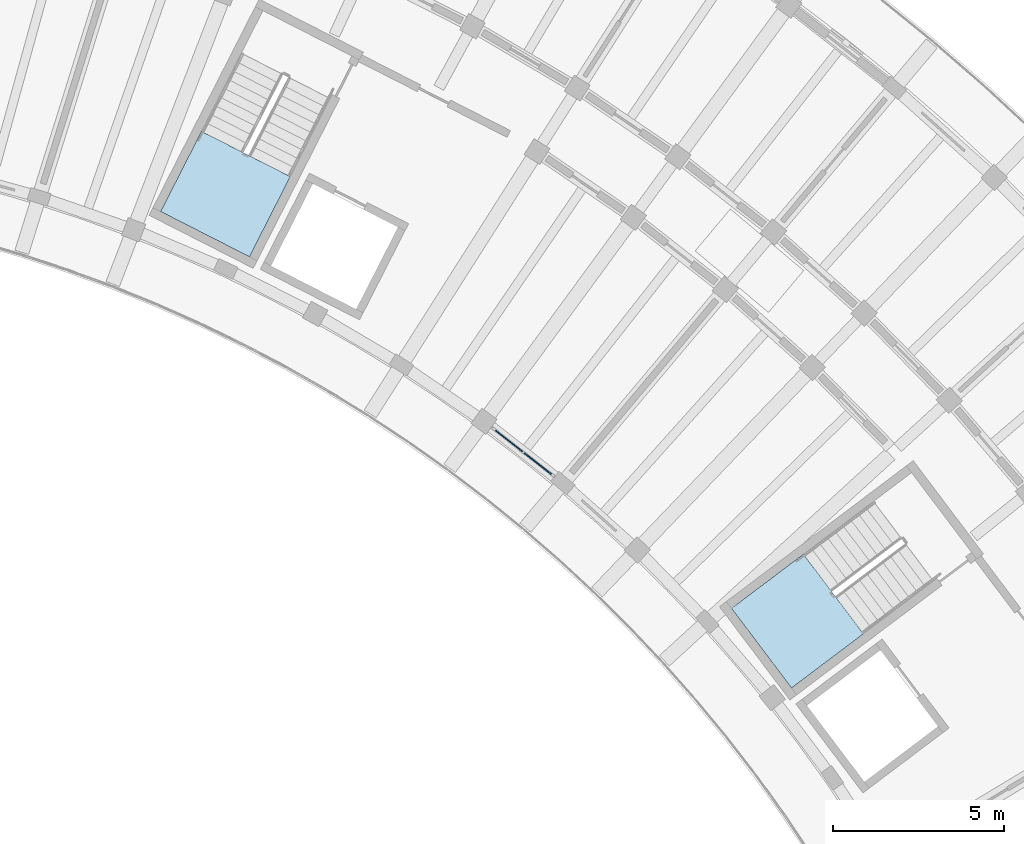
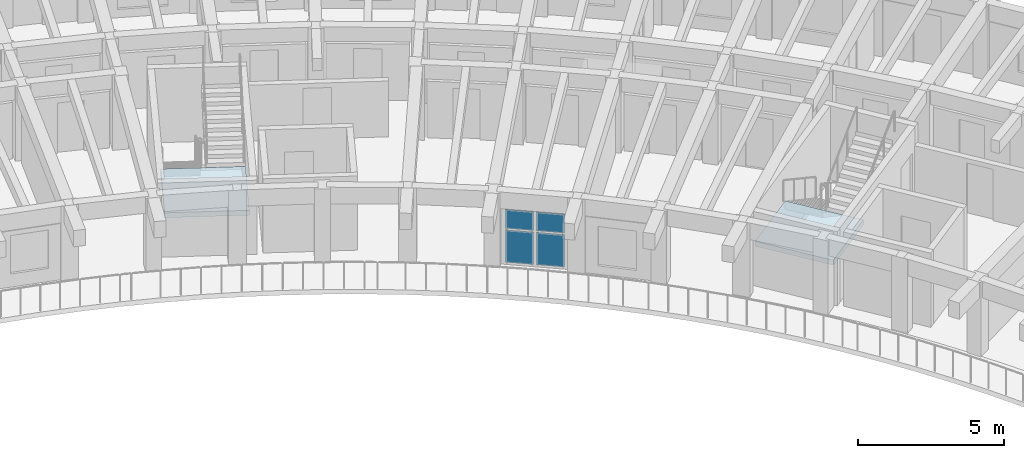
# One storey, part 26 of 69: 4 plates, 2 slabs, 3 elements without a shape of their own.
"""IFC4 building model written with IfcOpenShell, lengths in metres."""

from ifc_helpers import new_model, si_unit, direction, frame, origin, origin_2d, place, context, subcontext, project, spatial, polyline, rectangle, outline, extrude, material, layer, layer_set, type_object, element, aggregate, save


model = new_model("IFC4")

# Units and contexts
model_context = context("Model", 3, precision=1e-05, world=origin(), true_north=direction((0.0, 1.0)))
body_context = subcontext(model_context, "Body", "Model", "MODEL_VIEW")
ifc_project = project(units=[si_unit("LENGTHUNIT", "METRE"), si_unit("AREAUNIT", "SQUARE_METRE"), si_unit("VOLUMEUNIT", "CUBIC_METRE"), si_unit("PLANEANGLEUNIT", "RADIAN"), si_unit("MASSUNIT", "GRAM", prefix="KILO")], contexts=[model_context])

# Site, building, storey
site_placement = place(None, origin())
site = spatial("IfcSite", under=ifc_project, at=site_placement, CompositionType="ELEMENT")
building_placement = place(site_placement, origin())
building = spatial("IfcBuilding", under=site, at=building_placement, Name="Tanwirah Colonnade Gardens", CompositionType="ELEMENT")
storey_placement = place(building_placement, frame((0.0, 0.0, 15.56005859375)))
storey = spatial("IfcBuildingStorey", under=building, at=storey_placement, Name="L04", CompositionType="ELEMENT", Elevation=15.56005859375)

# Curtain wall, plates
ifc_material_1 = material(Name="Bronze-anodised aluminium and solar-control low-E glass", Category="aluminium")
curtain_wall_type = type_object("IfcCurtainWallType", Name="CW-GDN", PredefinedType="NOTDEFINED", material=ifc_material_1)
curtain_wall_placement = place(storey_placement, origin())
curtain_wall = element("IfcCurtainWall", 1, at=curtain_wall_placement, inside=storey, type_object=curtain_wall_type, Name="Curtain Wall CW-B-L04-IN-09", PredefinedType="NOTDEFINED")
ifc_material_2 = material(Name="Acoustic solar-control low-E double glazing", Category="glass")
ifc_layer_1 = layer(ifc_material_2, 0.031982421875)
ifc_layer_set_1 = layer_set([ifc_layer_1], Name="Acoustic solar-control low-E double glazing")
plate_type = type_object("IfcPlateType", Name="CWP-GLZ32", PredefinedType="CURTAIN_PANEL", material=ifc_layer_set_1)
plate_1_placement = place(storey_placement, frame((148.840087890625, 94.82470703125, 0.070068359375), z_axis=(0.0, 0.0, 1.0), x_axis=(-0.786815291166, 0.617188542982, 0.0)))
plate_1 = element("IfcPlate", 2, at=plate_1_placement, type_object=plate_type, Name="CW-GDN panel 1.1", PredefinedType="CURTAIN_PANEL", context=body_context, shape_type="SweptSolid", body=[
    extrude(rectangle(XDim=1.000244140625, YDim=0.031982421875, at=origin_2d()), origin(), (0.0, 0.0, 1.0), 1.35498046875),
])
plate_2_placement = place(storey_placement, frame((148.840087890625, 94.82470703125, 1.4951171875), z_axis=(0.0, 0.0, 1.0), x_axis=(-0.786815291166, 0.617188542982, 0.0)))
plate_2 = element("IfcPlate", 3, at=plate_2_placement, type_object=plate_type, Name="CW-GDN panel 1.2", PredefinedType="CURTAIN_PANEL", context=body_context, shape_type="SweptSolid", body=[
    extrude(rectangle(XDim=1.000244140625, YDim=0.031982421875, at=origin_2d()), origin(), (0.0, 0.0, 1.0), 0.789794921875),
])
plate_3_placement = place(storey_placement, frame((147.998046875, 95.485107421875, 0.070068359375), z_axis=(0.0, 0.0, 1.0), x_axis=(-0.786815291166, 0.617188542982, 0.0)))
plate_3 = element("IfcPlate", 4, at=plate_3_placement, type_object=plate_type, Name="CW-GDN panel 2.1", PredefinedType="CURTAIN_PANEL", context=body_context, shape_type="SweptSolid", body=[
    extrude(rectangle(XDim=1.000244140625, YDim=0.031982421875, at=origin_2d()), origin(), (0.0, 0.0, 1.0), 1.35498046875),
])
plate_4_placement = place(storey_placement, frame((147.998046875, 95.485107421875, 1.4951171875), z_axis=(0.0, 0.0, 1.0), x_axis=(-0.786815291166, 0.617188542982, 0.0)))
plate_4 = element("IfcPlate", 5, at=plate_4_placement, type_object=plate_type, Name="CW-GDN panel 2.2", PredefinedType="CURTAIN_PANEL", context=body_context, shape_type="SweptSolid", body=[
    extrude(rectangle(XDim=1.000244140625, YDim=0.031982421875, at=origin_2d()), origin(), (0.0, 0.0, 1.0), 0.789794921875),
])
aggregate(curtain_wall, [plate_1, plate_2, plate_3, plate_4])

# Stair, slab
ifc_material_3 = material(Name="Precast concrete C40/50", Category="concrete")
stair_type = type_object("IfcStairType", Name="ST-RES168", PredefinedType="HALF_TURN_STAIR", material=ifc_material_3)
stair_1_placement = place(storey_placement, origin())
stair_1 = element("IfcStair", 6, at=stair_1_placement, inside=storey, type_object=stair_type, Name="L04 Block B Core 1 Exit Stair", PredefinedType="HALF_TURN_STAIR")
ifc_layer_2 = layer(ifc_material_3, 0.205078125)
ifc_layer_set_2 = layer_set([ifc_layer_2], Name="Precast concrete C40/50")
slab_type = type_object("IfcSlabType", Name="SL-LND-205", PredefinedType="LANDING", material=ifc_layer_set_2)
slab_1_placement = place(storey_placement, frame((0.0, 0.0, 1.474853515625)))
slab_1 = element("IfcSlab", 7, at=slab_1_placement, type_object=slab_type, Name="ST-B1 landing 1", PredefinedType="LANDING", context=body_context, shape_type="SweptSolid", body=[
    extrude(outline(polyline([(156.615478515625, 92.171875), (154.510986328125, 90.586181640625), (156.268310546875, 88.254150390625), (158.372802734375, 89.83984375), (156.615478515625, 92.171875)])), origin(), (0.0, 0.0, 1.0), 0.205078125),
])
aggregate(stair_1, [slab_1])

stair_2_placement = place(storey_placement, origin())
stair_2 = element("IfcStair", 8, at=stair_2_placement, inside=storey, type_object=stair_type, Name="L04 Block B Core 2 Exit Stair", PredefinedType="HALF_TURN_STAIR")
slab_2_placement = place(storey_placement, frame((0.0, 0.0, 1.474853515625)))
slab_2 = element("IfcSlab", 9, at=slab_2_placement, type_object=slab_type, Name="ST-B2 landing 1", PredefinedType="LANDING", context=body_context, shape_type="SweptSolid", body=[
    extrude(outline(polyline([(138.995361328125, 104.549072265625), (137.799072265625, 102.201171875), (140.40087890625, 100.87548828125), (141.59716796875, 103.223388671875), (138.995361328125, 104.549072265625)])), origin(), (0.0, 0.0, 1.0), 0.205078125),
])
aggregate(stair_2, [slab_2])

save(model, "model.ifc")
